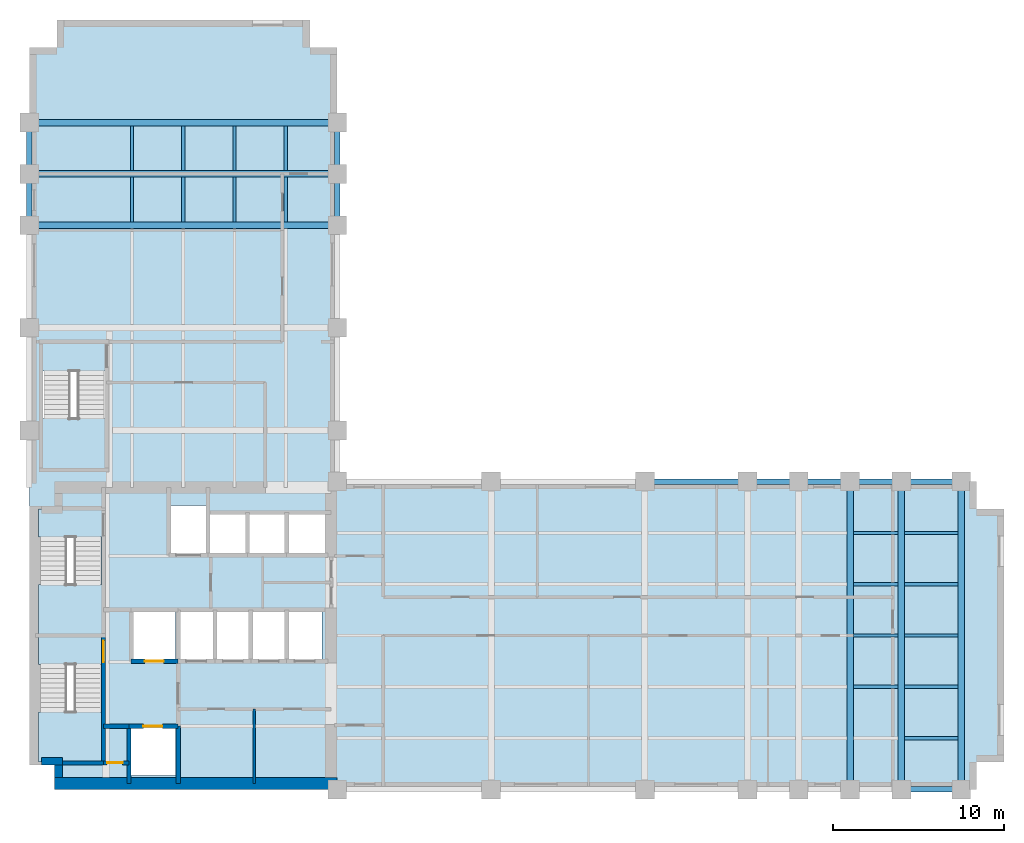
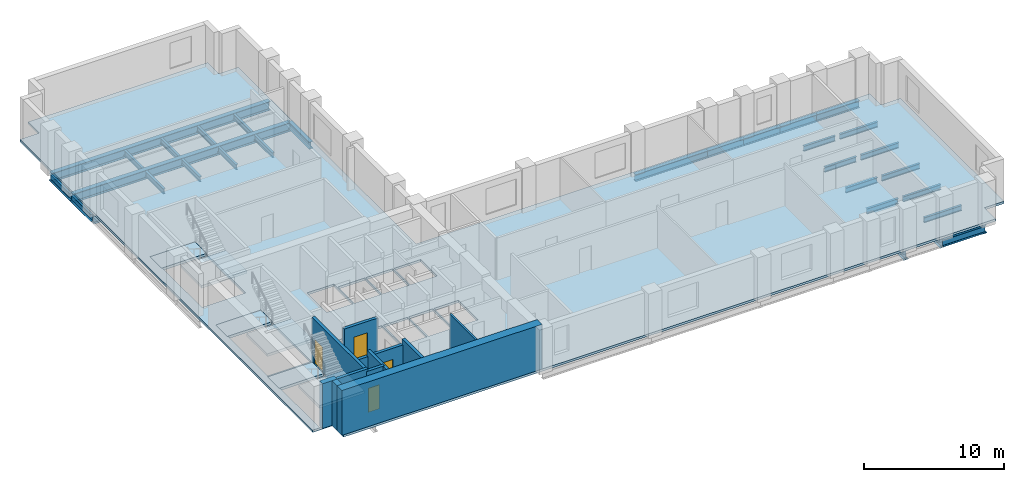
# One storey, part 2 of 7: 33 beams, 12 walls, 7 slabs, 4 doors, 4 openings, 3 elements without a shape of their own.
"""IFC4 building model written with IfcOpenShell, lengths in metres."""

from ifc_helpers import new_model, si_unit, direction, frame, frame_2d, origin, origin_2d, place, context, subcontext, project, spatial, polyline, rectangle, i_section, outline, extrude, material, layer, layer_set, material_profile, profile_set, type_object, element, fill, aggregate, save


model = new_model("IFC4")

# Units and contexts
model_context = context("Model", 3, precision=1e-05, world=origin(), true_north=direction((0.0, 1.0)))
body_context = subcontext(model_context, "Body", "Model", "MODEL_VIEW")
ifc_project = project(units=[si_unit("LENGTHUNIT", "METRE"), si_unit("AREAUNIT", "SQUARE_METRE"), si_unit("VOLUMEUNIT", "CUBIC_METRE"), si_unit("PLANEANGLEUNIT", "RADIAN"), si_unit("MASSUNIT", "GRAM", prefix="KILO")], contexts=[model_context])

# Site, building, storey
site_placement = place(None, origin())
site = spatial("IfcSite", under=ifc_project, at=site_placement, CompositionType="ELEMENT")
building_placement = place(site_placement, origin())
building = spatial("IfcBuilding", under=site, at=building_placement, Name="Mawjdan Bourse Tower", CompositionType="ELEMENT")
storey_placement = place(building_placement, frame((0.0, 0.0, 112.800048828125)))
storey = spatial("IfcBuildingStorey", under=building, at=storey_placement, Name="L26", CompositionType="ELEMENT", Elevation=112.800048828125)

# Beams
ifc_material_1 = material(Name="Structural Steel S355", Category="steel")
ifc_material_profile_1 = material_profile(ifc_material_1, i_section(OverallWidth=0.381103515625, OverallDepth=0.77294921875, WebThickness=0.0166015625, FlangeThickness=0.027099609375, FilletRadius=0.021728515625, at=origin_2d()), Name="W30X173")
ifc_profile_set_1 = profile_set([ifc_material_profile_1], Name="Structural Steel S355")
beam_type_1 = type_object("IfcBeamType", Name="GRD-W30X173", PredefinedType="BEAM", material=ifc_profile_set_1)
for number, where, z_axis, x_axis, name in (
    (1, (54.0, 3.0, -0.586669921875), (0.0, 1.0, 0.0), (-1.0, 0.0, 0.0), "L26 East Wing Clear-Span Girder 006"),
    (2, (57.0, 3.0, -0.586669921875), (0.0, 1.0, 0.0), (-1.0, 0.0, 0.0), "L26 East Wing Clear-Span Girder 007"),
    (3, (60.5, 3.0, -0.586669921875), (0.0, 1.0, 0.0), (-1.0, 0.0, 0.0), "L26 East Wing Clear-Span Girder 008"),
    (4, (6.0, 36.0, -0.586669921875), (1.0, 0.0, 0.0), (0.0, 1.0, 0.0), "L26 North Wing Clear-Span Girder 065"),
    (5, (6.0, 39.0, -0.586669921875), (1.0, 0.0, 0.0), (0.0, 1.0, 0.0), "L26 North Wing Clear-Span Girder 066"),
    (6, (6.0, 42.0, -0.586669921875), (1.0, 0.0, 0.0), (0.0, 1.0, 0.0), "L26 North Wing Clear-Span Girder 067"),
):
    element("IfcBeam", number, at=place(storey_placement, frame(where, z_axis=z_axis, x_axis=x_axis)), inside=storey, type_object=beam_type_1, Name=name, PredefinedType="BEAM", context=body_context, shape_type="SweptSolid", body=[
        extrude(i_section(OverallWidth=0.381103515625, OverallDepth=0.77294921875, WebThickness=0.0166015625, FlangeThickness=0.027099609375, FilletRadius=0.021728515625, at=origin_2d()), origin(), (0.0, 0.0, 1.0), 18.0),
    ])
ifc_material_profile_2 = material_profile(ifc_material_1, i_section(OverallWidth=0.19189453125, OverallDepth=0.462890625, WebThickness=0.010498046875, FlangeThickness=0.017578125, FilletRadius=0.01416015625, at=origin_2d()), Name="W18X60")
ifc_profile_set_2 = profile_set([ifc_material_profile_2], Name="Structural Steel S355")
beam_type_2 = type_object("IfcBeamType", Name="JST-W18X60", PredefinedType="JOIST", material=ifc_profile_set_2)
beam_1_placement = place(storey_placement, frame((57.1884765625, 6.0, -0.431640625), z_axis=(1.0, 0.0, 0.0), x_axis=(0.0, 1.0, 0.0)))
element("IfcBeam", 7, at=beam_1_placement, inside=storey, type_object=beam_type_2, Name="L26 East Wing Composite Joist 029", PredefinedType="JOIST", context=body_context, shape_type="SweptSolid", body=[
    extrude(i_section(OverallWidth=0.19189453125, OverallDepth=0.462890625, WebThickness=0.010498046875, FlangeThickness=0.017578125, FilletRadius=0.01416015625, at=origin_2d()), origin(), (0.0, 0.0, 1.0), 3.123046875),
])
beam_2_placement = place(storey_placement, frame((54.1884765625, 9.0, -0.431640625), z_axis=(1.0, 0.0, 0.0), x_axis=(0.0, 1.0, 0.0)))
element("IfcBeam", 8, at=beam_2_placement, inside=storey, type_object=beam_type_2, Name="L26 East Wing Composite Joist 035", PredefinedType="JOIST", context=body_context, shape_type="SweptSolid", body=[
    extrude(i_section(OverallWidth=0.19189453125, OverallDepth=0.462890625, WebThickness=0.010498046875, FlangeThickness=0.017578125, FilletRadius=0.01416015625, at=origin_2d()), origin(), (0.0, 0.0, 1.0), 2.623046875),
])
beam_3_placement = place(storey_placement, frame((57.1884765625, 9.0, -0.431640625), z_axis=(1.0, 0.0, 0.0), x_axis=(0.0, 1.0, 0.0)))
element("IfcBeam", 9, at=beam_3_placement, inside=storey, type_object=beam_type_2, Name="L26 East Wing Composite Joist 036", PredefinedType="JOIST", context=body_context, shape_type="SweptSolid", body=[
    extrude(i_section(OverallWidth=0.19189453125, OverallDepth=0.462890625, WebThickness=0.010498046875, FlangeThickness=0.017578125, FilletRadius=0.01416015625, at=origin_2d()), origin(), (0.0, 0.0, 1.0), 3.123046875),
])
beam_4_placement = place(storey_placement, frame((54.1884765625, 12.0, -0.431640625), z_axis=(1.0, 0.0, 0.0), x_axis=(0.0, 1.0, 0.0)))
element("IfcBeam", 10, at=beam_4_placement, inside=storey, type_object=beam_type_2, Name="L26 East Wing Composite Joist 042", PredefinedType="JOIST", context=body_context, shape_type="SweptSolid", body=[
    extrude(i_section(OverallWidth=0.19189453125, OverallDepth=0.462890625, WebThickness=0.010498046875, FlangeThickness=0.017578125, FilletRadius=0.01416015625, at=origin_2d()), origin(), (0.0, 0.0, 1.0), 2.623046875),
])
beam_5_placement = place(storey_placement, frame((57.1884765625, 12.0, -0.431640625), z_axis=(1.0, 0.0, 0.0), x_axis=(0.0, 1.0, 0.0)))
element("IfcBeam", 11, at=beam_5_placement, inside=storey, type_object=beam_type_2, Name="L26 East Wing Composite Joist 043", PredefinedType="JOIST", context=body_context, shape_type="SweptSolid", body=[
    extrude(i_section(OverallWidth=0.19189453125, OverallDepth=0.462890625, WebThickness=0.010498046875, FlangeThickness=0.017578125, FilletRadius=0.01416015625, at=origin_2d()), origin(), (0.0, 0.0, 1.0), 3.123046875),
])
beam_6_placement = place(storey_placement, frame((54.1884765625, 15.0, -0.431640625), z_axis=(1.0, 0.0, 0.0), x_axis=(0.0, 1.0, 0.0)))
element("IfcBeam", 12, at=beam_6_placement, inside=storey, type_object=beam_type_2, Name="L26 East Wing Composite Joist 049", PredefinedType="JOIST", context=body_context, shape_type="SweptSolid", body=[
    extrude(i_section(OverallWidth=0.19189453125, OverallDepth=0.462890625, WebThickness=0.010498046875, FlangeThickness=0.017578125, FilletRadius=0.01416015625, at=origin_2d()), origin(), (0.0, 0.0, 1.0), 2.623046875),
])
beam_7_placement = place(storey_placement, frame((57.1884765625, 15.0, -0.431640625), z_axis=(1.0, 0.0, 0.0), x_axis=(0.0, 1.0, 0.0)))
element("IfcBeam", 13, at=beam_7_placement, inside=storey, type_object=beam_type_2, Name="L26 East Wing Composite Joist 050", PredefinedType="JOIST", context=body_context, shape_type="SweptSolid", body=[
    extrude(i_section(OverallWidth=0.19189453125, OverallDepth=0.462890625, WebThickness=0.010498046875, FlangeThickness=0.017578125, FilletRadius=0.01416015625, at=origin_2d()), origin(), (0.0, 0.0, 1.0), 3.123046875),
])
beam_8_placement = place(storey_placement, frame((54.1884765625, 18.0, -0.431640625), z_axis=(1.0, 0.0, 0.0), x_axis=(0.0, 1.0, 0.0)))
element("IfcBeam", 14, at=beam_8_placement, inside=storey, type_object=beam_type_2, Name="L26 East Wing Composite Joist 056", PredefinedType="JOIST", context=body_context, shape_type="SweptSolid", body=[
    extrude(i_section(OverallWidth=0.19189453125, OverallDepth=0.462890625, WebThickness=0.010498046875, FlangeThickness=0.017578125, FilletRadius=0.01416015625, at=origin_2d()), origin(), (0.0, 0.0, 1.0), 2.623046875),
])
beam_9_placement = place(storey_placement, frame((57.1884765625, 18.0, -0.431640625), z_axis=(1.0, 0.0, 0.0), x_axis=(0.0, 1.0, 0.0)))
element("IfcBeam", 15, at=beam_9_placement, inside=storey, type_object=beam_type_2, Name="L26 East Wing Composite Joist 057", PredefinedType="JOIST", context=body_context, shape_type="SweptSolid", body=[
    extrude(i_section(OverallWidth=0.19189453125, OverallDepth=0.462890625, WebThickness=0.010498046875, FlangeThickness=0.017578125, FilletRadius=0.01416015625, at=origin_2d()), origin(), (0.0, 0.0, 1.0), 3.123046875),
])
for number, where, z_axis, x_axis, name in (
    (16, (12.0, 36.1884765625, -0.431640625), (0.0, 1.0, 0.0), (-1.0, 0.0, 0.0), "L26 North Wing Composite Joist 081"),
    (17, (12.0, 39.1884765625, -0.431640625), (0.0, 1.0, 0.0), (-1.0, 0.0, 0.0), "L26 North Wing Composite Joist 082"),
    (18, (15.0, 36.1884765625, -0.431640625), (0.0, 1.0, 0.0), (-1.0, 0.0, 0.0), "L26 North Wing Composite Joist 086"),
    (19, (15.0, 39.1884765625, -0.431640625), (0.0, 1.0, 0.0), (-1.0, 0.0, 0.0), "L26 North Wing Composite Joist 087"),
    (20, (18.0, 36.1884765625, -0.431640625), (0.0, 1.0, 0.0), (-1.0, 0.0, 0.0), "L26 North Wing Composite Joist 091"),
    (21, (18.0, 39.1884765625, -0.431640625), (0.0, 1.0, 0.0), (-1.0, 0.0, 0.0), "L26 North Wing Composite Joist 092"),
    (22, (21.0, 36.1884765625, -0.431640625), (0.0, 1.0, 0.0), (-1.0, 0.0, 0.0), "L26 North Wing Composite Joist 096"),
    (23, (21.0, 39.1884765625, -0.431640625), (0.0, 1.0, 0.0), (-1.0, 0.0, 0.0), "L26 North Wing Composite Joist 097"),
):
    element("IfcBeam", number, at=place(storey_placement, frame(where, z_axis=z_axis, x_axis=x_axis)), inside=storey, type_object=beam_type_2, Name=name, PredefinedType="JOIST", context=body_context, shape_type="SweptSolid", body=[
        extrude(i_section(OverallWidth=0.19189453125, OverallDepth=0.462890625, WebThickness=0.010498046875, FlangeThickness=0.017578125, FilletRadius=0.01416015625, at=origin_2d()), origin(), (0.0, 0.0, 1.0), 2.623046875),
    ])
ifc_material_profile_3 = material_profile(ifc_material_1, i_section(OverallWidth=0.324951171875, OverallDepth=0.616943359375, WebThickness=0.013916015625, FlangeThickness=0.021484375, FilletRadius=0.017333984375, at=origin_2d()), Name="W24X117")
ifc_profile_set_3 = profile_set([ifc_material_profile_3], Name="Structural Steel S355")
beam_type_3 = type_object("IfcBeamType", Name="SPN-W24X117", PredefinedType="SPANDREL", material=ifc_profile_set_3)
beam_10_placement = place(storey_placement, frame((57.0, 3.0, -0.508544921875), z_axis=(1.0, 0.0, 0.0), x_axis=(0.0, 1.0, 0.0)))
element("IfcBeam", 24, at=beam_10_placement, inside=storey, type_object=beam_type_3, Name="L26 Perimeter Masonry-Shelf Spandrel 015", PredefinedType="SPANDREL", context=body_context, shape_type="SweptSolid", body=[
    extrude(i_section(OverallWidth=0.324951171875, OverallDepth=0.616943359375, WebThickness=0.013916015625, FlangeThickness=0.021484375, FilletRadius=0.017333984375, at=origin_2d()), origin(), (0.0, 0.0, 1.0), 3.5),
])
beam_11_placement = place(storey_placement, frame((42.0, 21.0, -0.508544921875), z_axis=(1.0, 0.0, 0.0), x_axis=(0.0, 1.0, 0.0)))
element("IfcBeam", 25, at=beam_11_placement, inside=storey, type_object=beam_type_3, Name="L26 Perimeter Masonry-Shelf Spandrel 018", PredefinedType="SPANDREL", context=body_context, shape_type="SweptSolid", body=[
    extrude(i_section(OverallWidth=0.324951171875, OverallDepth=0.616943359375, WebThickness=0.013916015625, FlangeThickness=0.021484375, FilletRadius=0.017333984375, at=origin_2d()), origin(), (0.0, 0.0, 1.0), 6.0),
])
for number, where, z_axis, x_axis, name in (
    (26, (48.0, 21.0, -0.508544921875), (1.0, 0.0, 0.0), (0.0, 1.0, 0.0), "L26 Perimeter Masonry-Shelf Spandrel 019"),
    (27, (51.0, 21.0, -0.508544921875), (1.0, 0.0, 0.0), (0.0, 1.0, 0.0), "L26 Perimeter Masonry-Shelf Spandrel 020"),
    (28, (54.0, 21.0, -0.508544921875), (1.0, 0.0, 0.0), (0.0, 1.0, 0.0), "L26 Perimeter Masonry-Shelf Spandrel 021"),
):
    element("IfcBeam", number, at=place(storey_placement, frame(where, z_axis=z_axis, x_axis=x_axis)), inside=storey, type_object=beam_type_3, Name=name, PredefinedType="SPANDREL", context=body_context, shape_type="SweptSolid", body=[
        extrude(i_section(OverallWidth=0.324951171875, OverallDepth=0.616943359375, WebThickness=0.013916015625, FlangeThickness=0.021484375, FilletRadius=0.017333984375, at=origin_2d()), origin(), (0.0, 0.0, 1.0), 3.0),
    ])
beam_12_placement = place(storey_placement, frame((57.0, 21.0, -0.508544921875), z_axis=(1.0, 0.0, 0.0), x_axis=(0.0, 1.0, 0.0)))
element("IfcBeam", 29, at=beam_12_placement, inside=storey, type_object=beam_type_3, Name="L26 Perimeter Masonry-Shelf Spandrel 022", PredefinedType="SPANDREL", context=body_context, shape_type="SweptSolid", body=[
    extrude(i_section(OverallWidth=0.324951171875, OverallDepth=0.616943359375, WebThickness=0.013916015625, FlangeThickness=0.021484375, FilletRadius=0.017333984375, at=origin_2d()), origin(), (0.0, 0.0, 1.0), 3.5),
])
for number, where, z_axis, x_axis, name in (
    (30, (6.0, 36.0, -0.508544921875), (0.0, 1.0, 0.0), (-1.0, 0.0, 0.0), "L26 North Wing Spandrel 071"),
    (31, (6.0, 39.0, -0.508544921875), (0.0, 1.0, 0.0), (-1.0, 0.0, 0.0), "L26 North Wing Spandrel 072"),
    (32, (24.0, 36.0, -0.508544921875), (0.0, 1.0, 0.0), (-1.0, 0.0, 0.0), "L26 North Wing Spandrel 076"),
    (33, (24.0, 39.0, -0.508544921875), (0.0, 1.0, 0.0), (-1.0, 0.0, 0.0), "L26 North Wing Spandrel 077"),
):
    element("IfcBeam", number, at=place(storey_placement, frame(where, z_axis=z_axis, x_axis=x_axis)), inside=storey, type_object=beam_type_3, Name=name, PredefinedType="SPANDREL", context=body_context, shape_type="SweptSolid", body=[
        extrude(i_section(OverallWidth=0.324951171875, OverallDepth=0.616943359375, WebThickness=0.013916015625, FlangeThickness=0.021484375, FilletRadius=0.017333984375, at=origin_2d()), origin(), (0.0, 0.0, 1.0), 3.0),
    ])

# Stair, slabs
ifc_material_2 = material(Name="Concrete C50/60", Category="concrete")
stair_type = type_object("IfcStairType", Name="STR-CORE-1500", PredefinedType="HALF_TURN_STAIR", material=ifc_material_2)
stair_1_placement = place(storey_placement, origin())
stair_1 = element("IfcStair", 34, at=stair_1_placement, inside=storey, type_object=stair_type, Name="L26 Exit Stair 1 (Core South-West)", PredefinedType="HALF_TURN_STAIR")
ifc_layer_1 = layer(ifc_material_2, 0.22998046875)
ifc_layer_set_1 = layer_set([ifc_layer_1], Name="Concrete C50/60")
slab_type_1 = type_object("IfcSlabType", Name="SL-LND-230", PredefinedType="LANDING", material=ifc_layer_set_1)
slab_1_placement = place(storey_placement, frame((0.0, 0.0, -0.22998046875)))
slab_1 = element("IfcSlab", 35, at=slab_1_placement, type_object=slab_type_1, Name="ST1-L26 landing 1", PredefinedType="LANDING", context=body_context, shape_type="SweptSolid", body=[
    extrude(outline(polyline([(6.5400390625, 10.31005859375), (10.260009765625, 10.31005859375), (10.260009765625, 11.969970703125), (6.5400390625, 11.969970703125), (6.5400390625, 10.31005859375)])), origin(), (0.0, 0.0, 1.0), 0.22998046875),
])
slab_2_placement = place(storey_placement, frame((0.0, 0.0, 1.719970703125)))
slab_2 = element("IfcSlab", 36, at=slab_2_placement, type_object=slab_type_1, Name="ST1-L26 landing 2", PredefinedType="LANDING", context=body_context, shape_type="SweptSolid", body=[
    extrude(outline(polyline([(6.5400390625, 4.590087890625), (10.260009765625, 4.590087890625), (10.260009765625, 7.5400390625), (6.5400390625, 7.5400390625), (6.5400390625, 4.590087890625)])), origin(), (0.0, 0.0, 1.0), 0.22998046875),
])
aggregate(stair_1, [slab_1, slab_2])

stair_2_placement = place(storey_placement, origin())
stair_2 = element("IfcStair", 37, at=stair_2_placement, inside=storey, type_object=stair_type, Name="L26 Exit Stair 2 (Core North-West)", PredefinedType="HALF_TURN_STAIR")
slab_3_placement = place(storey_placement, frame((0.0, 0.0, -0.22998046875)))
slab_3 = element("IfcSlab", 38, at=slab_3_placement, type_object=slab_type_1, Name="ST2-L26 landing 1", PredefinedType="LANDING", context=body_context, shape_type="SweptSolid", body=[
    extrude(outline(polyline([(6.5400390625, 17.75), (10.260009765625, 17.75), (10.260009765625, 19.409912109375), (6.5400390625, 19.409912109375), (6.5400390625, 17.75)])), origin(), (0.0, 0.0, 1.0), 0.22998046875),
])
slab_4_placement = place(storey_placement, frame((0.0, 0.0, 1.719970703125)))
slab_4 = element("IfcSlab", 39, at=slab_4_placement, type_object=slab_type_1, Name="ST2-L26 landing 2", PredefinedType="LANDING", context=body_context, shape_type="SweptSolid", body=[
    extrude(outline(polyline([(6.5400390625, 12.030029296875), (10.260009765625, 12.030029296875), (10.260009765625, 14.97998046875), (6.5400390625, 14.97998046875), (6.5400390625, 12.030029296875)])), origin(), (0.0, 0.0, 1.0), 0.22998046875),
])
aggregate(stair_2, [slab_3, slab_4])

stair_3_placement = place(storey_placement, origin())
stair_3 = element("IfcStair", 40, at=stair_3_placement, inside=storey, type_object=stair_type, Name="L26 Exit Stair 3 (North Wing)", PredefinedType="HALF_TURN_STAIR")
slab_5_placement = place(storey_placement, frame((0.0, 0.0, -0.22998046875)))
slab_5 = element("IfcSlab", 41, at=slab_5_placement, type_object=slab_type_1, Name="ST3-L26 landing 1", PredefinedType="LANDING", context=body_context, shape_type="SweptSolid", body=[
    extrude(outline(polyline([(6.739990234375, 27.4599609375), (10.4599609375, 27.4599609375), (10.4599609375, 29.1201171875), (6.739990234375, 29.1201171875), (6.739990234375, 27.4599609375)])), origin(), (0.0, 0.0, 1.0), 0.22998046875),
])
slab_6_placement = place(storey_placement, frame((0.0, 0.0, 1.719970703125)))
slab_6 = element("IfcSlab", 42, at=slab_6_placement, type_object=slab_type_1, Name="ST3-L26 landing 2", PredefinedType="LANDING", context=body_context, shape_type="SweptSolid", body=[
    extrude(outline(polyline([(6.739990234375, 21.739990234375), (10.4599609375, 21.739990234375), (10.4599609375, 24.68994140625), (6.739990234375, 24.68994140625), (6.739990234375, 21.739990234375)])), origin(), (0.0, 0.0, 1.0), 0.22998046875),
])
aggregate(stair_3, [slab_5, slab_6])

# Slab
ifc_layer_2 = layer(ifc_material_2, 0.199951171875)
ifc_layer_set_2 = layer_set([ifc_layer_2], Name="Concrete C50/60")
slab_type_2 = type_object("IfcSlabType", Name="SL-OFC-200", PredefinedType="FLOOR", material=ifc_layer_set_2)
slab_7_placement = place(storey_placement, frame((0.0, 0.0, -0.199951171875)))
element("IfcSlab", 43, at=slab_7_placement, inside=storey, type_object=slab_type_2, Name="L26 Structural Floor Slab 1", PredefinedType="FLOOR", context=body_context, shape_type="SweptSolid", body=[
    extrude(outline(polyline([(7.60009765625, 3.0), (61.39990234375, 3.0), (61.39990234375, 4.60009765625), (63.0, 4.60009765625), (63.0, 19.39990234375), (61.39990234375, 19.39990234375), (61.39990234375, 21.0), (24.0, 21.0), (24.0, 46.39990234375), (22.39990234375, 46.39990234375), (22.39990234375, 48.0), (7.60009765625, 48.0), (7.60009765625, 46.39990234375), (6.0, 46.39990234375), (6.0, 4.60009765625), (7.60009765625, 4.60009765625), (7.60009765625, 3.0)]), holes=[polyline([(11.949951171875, 3.800048828125), (11.949951171875, 6.60009765625), (14.550048828125, 6.60009765625), (14.550048828125, 3.800048828125), (11.949951171875, 3.800048828125)]), polyline([(6.60009765625, 10.31005859375), (6.5400390625, 10.31005859375), (6.5400390625, 11.969970703125), (10.260009765625, 11.969970703125), (10.260009765625, 10.31005859375), (10.199951171875, 10.31005859375), (10.199951171875, 4.64990234375), (6.60009765625, 4.64990234375), (6.60009765625, 10.31005859375)]), polyline([(12.050048828125, 10.60009765625), (12.050048828125, 13.39990234375), (14.550048828125, 13.39990234375), (14.550048828125, 10.60009765625), (12.050048828125, 10.60009765625)]), polyline([(10.260009765625, 19.409912109375), (10.260009765625, 17.75), (10.199951171875, 17.75), (10.199951171875, 12.090087890625), (6.60009765625, 12.090087890625), (6.60009765625, 17.75), (6.5400390625, 17.75), (6.5400390625, 19.409912109375), (10.260009765625, 19.409912109375)]), polyline([(10.4599609375, 29.1201171875), (10.4599609375, 27.4599609375), (10.39990234375, 27.4599609375), (10.39990234375, 21.800048828125), (6.800048828125, 21.800048828125), (6.800048828125, 27.4599609375), (6.739990234375, 27.4599609375), (6.739990234375, 29.1201171875), (10.4599609375, 29.1201171875)]), polyline([(14.800048828125, 10.60009765625), (14.800048828125, 13.39990234375), (16.800048828125, 13.39990234375), (16.800048828125, 10.60009765625), (14.800048828125, 10.60009765625)]), polyline([(16.89990234375, 10.60009765625), (16.89990234375, 13.39990234375), (18.89990234375, 13.39990234375), (18.89990234375, 10.60009765625), (16.89990234375, 10.60009765625)]), polyline([(19.0, 10.60009765625), (19.0, 13.39990234375), (21.0, 13.39990234375), (21.0, 10.60009765625), (19.0, 10.60009765625)]), polyline([(21.10009765625, 10.60009765625), (21.10009765625, 13.39990234375), (23.10009765625, 13.39990234375), (23.10009765625, 10.60009765625), (21.10009765625, 10.60009765625)]), polyline([(16.5, 16.800048828125), (16.5, 19.14990234375), (18.699951171875, 19.14990234375), (18.699951171875, 16.800048828125), (16.5, 16.800048828125)]), polyline([(18.800048828125, 16.800048828125), (18.800048828125, 19.14990234375), (21.0, 19.14990234375), (21.0, 16.800048828125), (18.800048828125, 16.800048828125)]), polyline([(21.10009765625, 16.800048828125), (21.10009765625, 19.14990234375), (23.300048828125, 19.14990234375), (23.300048828125, 16.800048828125), (21.10009765625, 16.800048828125)]), polyline([(14.199951171875, 16.800048828125), (14.199951171875, 19.60009765625), (16.39990234375, 19.60009765625), (16.39990234375, 16.800048828125), (14.199951171875, 16.800048828125)])]), origin(), (0.0, 0.0, 1.0), 0.199951171875),
])

# Walls
ifc_material_3 = material(Name="Concrete C60/75", Category="concrete")
ifc_layer_3 = layer(ifc_material_3, 0.449951171875)
ifc_layer_set_3 = layer_set([ifc_layer_3], Name="Concrete C60/75")
wall_type_1 = type_object("IfcWallType", Name="WL-CORE-450", PredefinedType="SHEAR", material=ifc_layer_set_3)
wall_1_placement = place(storey_placement, frame((6.699951171875, 4.64990234375, 0.0), z_axis=(0.0, 0.0, 1.0), x_axis=(1.0, 0.0, 0.0)))
element("IfcWall", 44, at=wall_1_placement, inside=storey, type_object=wall_type_1, Name="L26 Rear Core Shear Wall SW-X", PredefinedType="SHEAR", context=body_context, shape_type="SweptSolid", body=[
    extrude(rectangle(XDim=1.22509765625, YDim=0.449951171875, at=frame_2d((0.612548828125, 0.0))), origin(), (0.0, 0.0, 1.0), 3.89990234375),
])
wall_2_placement = place(storey_placement, frame((7.699951171875, 3.699951171875, 0.0), z_axis=(0.0, 0.0, 1.0), x_axis=(0.0, 1.0, 0.0)))
element("IfcWall", 45, at=wall_2_placement, inside=storey, type_object=wall_type_1, Name="L26 Rear Core Shear Wall SW-Y", PredefinedType="SHEAR", context=body_context, shape_type="SweptSolid", body=[
    extrude(rectangle(XDim=0.72509765625, YDim=0.449951171875, at=frame_2d((0.362548828125, 0.0))), origin(), (0.0, 0.0, 1.0), 3.89990234375),
])
ifc_material_4 = material(Name="Concrete C70/85", Category="concrete")
ifc_layer_4 = layer(ifc_material_4, 0.699951171875)
ifc_layer_set_4 = layer_set([ifc_layer_4], Name="Concrete C70/85")
wall_type_2 = type_object("IfcWallType", Name="WL-CORE-700", PredefinedType="SHEAR", material=ifc_layer_set_4)
wall_3_placement = place(storey_placement, frame((7.47509765625, 3.35009765625, 0.0), z_axis=(0.0, 0.0, 1.0), x_axis=(1.0, 0.0, 0.0)))
element("IfcWall", 46, at=wall_3_placement, inside=storey, type_object=wall_type_2, Name="L26 Rear Core Shear Wall S", PredefinedType="SHEAR", context=body_context, shape_type="SweptSolid", body=[
    extrude(rectangle(XDim=16.52490234375, YDim=0.699951171875, at=frame_2d((8.262451171875, 0.0))), origin(), (0.0, 0.0, 1.0), 3.89990234375),
])
ifc_material_5 = material(Name="Gypsum Acoustic Partition")
ifc_layer_5 = layer(ifc_material_5, 0.14990234375)
ifc_layer_set_5 = layer_set([ifc_layer_5], Name="Gypsum Acoustic Partition")
wall_type_3 = type_object("IfcWallType", Name="WL-PRT-150", PredefinedType="PARTITIONING", material=ifc_layer_set_5)
wall_4_placement = place(storey_placement, frame((19.14990234375, 3.35009765625, 0.0), z_axis=(0.0, 0.0, 1.0), x_axis=(0.0, 1.0, 0.0)))
element("IfcWall", 47, at=wall_4_placement, inside=storey, type_object=wall_type_3, Name="L26 Document Custody Office Core Split Wall", PredefinedType="PARTITIONING", context=body_context, shape_type="SweptSolid", body=[
    extrude(rectangle(XDim=4.349853515625, YDim=0.14990234375, at=frame_2d((2.1748046875, 0.0))), origin(), (0.0, 0.0, 1.0), 3.68994140625),
])

# Wall, opening, door
ifc_layer_6 = layer(ifc_material_2, 0.25)
ifc_layer_set_6 = layer_set([ifc_layer_6], Name="Concrete C50/60")
wall_type_4 = type_object("IfcWallType", Name="WL-SHFT-250", PredefinedType="PARTITIONING", material=ifc_layer_set_6)
wall_5_placement = place(storey_placement, frame((10.330078125, 4.550048828125, 0.0), z_axis=(0.0, 0.0, 1.0), x_axis=(1.0, 0.0, 0.0)))
wall_5 = element("IfcWall", 48, at=wall_5_placement, inside=storey, type_object=wall_type_4, Name="L26 SW Riser North Wall", PredefinedType="PARTITIONING", context=body_context, shape_type="SweptSolid", body=[
    extrude(rectangle(XDim=1.489990234375, YDim=0.25, at=frame_2d((0.7451171875, 0.0))), origin(), (0.0, 0.0, 1.0), 3.68994140625),
])
opening_1_placement = place(wall_5_placement, frame((0.219970703125, 0.0, 0.0)))
opening_1 = element("IfcOpeningElement", 49, at=opening_1_placement, cuts=wall_5, Name="Opening RD-L26-03", PredefinedType="OPENING", context=body_context, shape_type="SweptSolid", body=[
    extrude(rectangle(XDim=0.89990234375, YDim=2.10009765625, at=frame_2d((0.449951171875, 1.050048828125))), frame((0.0, 0.135009765625, 0.0), z_axis=(0.0, -1.0, 0.0), x_axis=(1.0, 0.0, 0.0)), (0.0, 0.0, 1.0), 0.27001953125),
])
ifc_material_6 = material(Name="Fire-Rated Steel Access Leaf", Category="steel")
door_type_1 = type_object("IfcDoorType", Name="FD-RSR-0900", OperationType="NOTDEFINED", PredefinedType="TRAPDOOR", material=ifc_material_6)
door_1_placement = place(opening_1_placement, origin())
door_1 = element("IfcDoor", 50, at=door_1_placement, inside=storey, type_object=door_type_1, Name="L26 Electrical Riser Access Door RD-L26-03", OperationType="SINGLE_SWING_LEFT", OverallHeight=2.10009765625, OverallWidth=0.89990234375, PredefinedType="TRAPDOOR", context=body_context, shape_type="SweptSolid", body=[
    extrude(rectangle(XDim=0.89990234375, YDim=2.10009765625, at=frame_2d((0.449951171875, 1.050048828125))), frame((0.0, 0.02490234375, 0.0), z_axis=(0.0, -1.0, 0.0), x_axis=(1.0, 0.0, 0.0)), (0.0, 0.0, 1.0), 0.050048828125),
])
fill(opening_1, door_1)

# Wall
wall_6_placement = place(storey_placement, frame((11.820068359375, 3.35009765625, 0.0), z_axis=(0.0, 0.0, 1.0), x_axis=(0.0, 1.0, 0.0)))
element("IfcWall", 51, at=wall_6_placement, inside=storey, type_object=wall_type_4, Name="L26 SW Riser & FFL01 West Wall", PredefinedType="PARTITIONING", context=body_context, shape_type="SweptSolid", body=[
    extrude(rectangle(XDim=3.349853515625, YDim=0.25, at=frame_2d((1.6748046875, 0.0))), origin(), (0.0, 0.0, 1.0), 3.68994140625),
])

# Wall, opening, door
wall_7_placement = place(storey_placement, frame((11.820068359375, 6.699951171875, 0.0), z_axis=(0.0, 0.0, 1.0), x_axis=(1.0, 0.0, 0.0)))
wall_7 = element("IfcWall", 52, at=wall_7_placement, inside=storey, type_object=wall_type_4, Name="L26 FFL-01 Front Shaft Wall", PredefinedType="PARTITIONING", context=body_context, shape_type="SweptSolid", body=[
    extrude(rectangle(XDim=2.8798828125, YDim=0.25, at=frame_2d((1.43994140625, 0.0))), origin(), (0.0, 0.0, 1.0), 3.22705078125),
])
opening_2_placement = place(wall_7_placement, frame((0.85009765625, 0.0, 0.0)))
opening_2 = element("IfcOpeningElement", 53, at=opening_2_placement, cuts=wall_7, Name="Opening LD-L26-05", PredefinedType="OPENING", context=body_context, shape_type="SweptSolid", body=[
    extrude(rectangle(XDim=1.10009765625, YDim=2.25, at=frame_2d((0.550048828125, 1.125))), frame((0.0, 0.135009765625, 0.0), z_axis=(0.0, -1.0, 0.0), x_axis=(1.0, 0.0, 0.0)), (0.0, 0.0, 1.0), 0.27001953125),
])
ifc_material_7 = material(Name="Brushed Stainless Steel", Category="steel")
door_type_2 = type_object("IfcDoorType", Name="LD-FFL-1100", OperationType="DOUBLE_DOOR_SLIDING", PredefinedType="DOOR", material=ifc_material_7)
door_2_placement = place(opening_2_placement, origin())
door_2 = element("IfcDoor", 54, at=door_2_placement, inside=storey, type_object=door_type_2, Name="L26 Firefighting Lift FFL-01 Landing Door LD-L26-05", OperationType="DOUBLE_DOOR_SLIDING", OverallHeight=2.25, OverallWidth=1.10009765625, PredefinedType="DOOR", context=body_context, shape_type="SweptSolid", body=[
    extrude(rectangle(XDim=1.10009765625, YDim=2.25, at=frame_2d((0.550048828125, 1.125))), frame((0.0, 0.02490234375, 0.0), z_axis=(0.0, -1.0, 0.0), x_axis=(1.0, 0.0, 0.0)), (0.0, 0.0, 1.0), 0.050048828125),
])
fill(opening_2, door_2)

# Wall
wall_8_placement = place(storey_placement, frame((14.699951171875, 3.35009765625, 0.0), z_axis=(0.0, 0.0, 1.0), x_axis=(0.0, 1.0, 0.0)))
element("IfcWall", 55, at=wall_8_placement, inside=storey, type_object=wall_type_4, Name="L26 FFL-01 East Shaft Wall", PredefinedType="PARTITIONING", context=body_context, shape_type="SweptSolid", body=[
    extrude(rectangle(XDim=3.349853515625, YDim=0.25, at=frame_2d((1.6748046875, 0.0))), origin(), (0.0, 0.0, 1.0), 3.68994140625),
])

# Wall, opening, door
wall_9_placement = place(storey_placement, frame((11.949951171875, 10.5, 0.0), z_axis=(0.0, 0.0, 1.0), x_axis=(1.0, 0.0, 0.0)))
wall_9 = element("IfcWall", 56, at=wall_9_placement, inside=storey, type_object=wall_type_4, Name="L26 FFL-02 Front Shaft Wall", PredefinedType="PARTITIONING", context=body_context, shape_type="SweptSolid", body=[
    extrude(rectangle(XDim=2.75, YDim=0.25, at=frame_2d((1.375, 0.0))), origin(), (0.0, 0.0, 1.0), 3.22705078125),
])
opening_3_placement = place(wall_9_placement, frame((0.800048828125, 0.0, 0.0)))
opening_3 = element("IfcOpeningElement", 57, at=opening_3_placement, cuts=wall_9, Name="Opening LD-L26-06", PredefinedType="OPENING", context=body_context, shape_type="SweptSolid", body=[
    extrude(rectangle(XDim=1.10009765625, YDim=2.25, at=frame_2d((0.550048828125, 1.125))), frame((0.0, 0.135009765625, 0.0), z_axis=(0.0, -1.0, 0.0), x_axis=(1.0, 0.0, 0.0)), (0.0, 0.0, 1.0), 0.27001953125),
])
door_3_placement = place(opening_3_placement, origin())
door_3 = element("IfcDoor", 58, at=door_3_placement, inside=storey, type_object=door_type_2, Name="L26 Firefighting Lift FFL-02 Landing Door LD-L26-06", OperationType="DOUBLE_DOOR_SLIDING", OverallHeight=2.25, OverallWidth=1.10009765625, PredefinedType="DOOR", context=body_context, shape_type="SweptSolid", body=[
    extrude(rectangle(XDim=1.10009765625, YDim=2.25, at=frame_2d((0.550048828125, 1.125))), frame((0.0, 0.02490234375, 0.0), z_axis=(0.0, -1.0, 0.0), x_axis=(1.0, 0.0, 0.0)), (0.0, 0.0, 1.0), 0.050048828125),
])
fill(opening_3, door_3)

# Walls
wall_10_placement = place(storey_placement, frame((10.330078125, 6.699951171875, 0.0), z_axis=(0.0, 0.0, 1.0), x_axis=(1.0, 0.0, 0.0)))
element("IfcWall", 59, at=wall_10_placement, inside=storey, type_object=wall_type_4, Name="L26 Firefighting Lobby South Closure Wall", PredefinedType="PARTITIONING", context=body_context, shape_type="SweptSolid", body=[
    extrude(rectangle(XDim=1.489990234375, YDim=0.25, at=frame_2d((0.7451171875, 0.0))), origin(), (0.0, 0.0, 1.0), 3.22705078125),
])
ifc_layer_7 = layer(ifc_material_2, 0.25)
ifc_layer_set_7 = layer_set([ifc_layer_7], Name="Concrete C50/60")
wall_type_5 = type_object("IfcWallType", Name="WL-STRW-250", PredefinedType="SHEAR", material=ifc_layer_set_7)
wall_11_placement = place(storey_placement, frame((7.699951171875, 4.550048828125, 0.0), z_axis=(0.0, 0.0, 1.0), x_axis=(1.0, 0.0, 0.0)))
element("IfcWall", 60, at=wall_11_placement, inside=storey, type_object=wall_type_5, Name="L26 Stairwell ST1 South Shaft Wall", PredefinedType="SHEAR", context=body_context, shape_type="SweptSolid", body=[
    extrude(rectangle(XDim=2.755126953125, YDim=0.25, at=frame_2d((1.37744140625, 0.0))), origin(), (0.0, 0.0, 1.0), 3.89990234375),
])

# Wall, opening, door
wall_12_placement = place(storey_placement, frame((10.330078125, 4.550048828125, 0.0), z_axis=(0.0, 0.0, 1.0), x_axis=(0.0, 1.0, 0.0)))
wall_12 = element("IfcWall", 61, at=wall_12_placement, inside=storey, type_object=wall_type_5, Name="L26 Stairwell ST1 East Enclosure Wall", PredefinedType="SHEAR", context=body_context, shape_type="SweptSolid", body=[
    extrude(rectangle(XDim=7.449951171875, YDim=0.25, at=frame_2d((3.72509765625, 0.0))), origin(), (0.0, 0.0, 1.0), 3.89990234375),
])
opening_4_placement = place(wall_12_placement, frame((5.89990234375, 0.0, 0.0)))
opening_4 = element("IfcOpeningElement", 62, at=opening_4_placement, cuts=wall_12, Name="Opening SD-L26-01", PredefinedType="OPENING", context=body_context, shape_type="SweptSolid", body=[
    extrude(rectangle(XDim=1.25, YDim=2.199951171875, at=frame_2d((0.625, 1.10009765625))), frame((0.0, 0.135009765625, 0.0), z_axis=(0.0, -1.0, 0.0), x_axis=(1.0, 0.0, 0.0)), (0.0, 0.0, 1.0), 0.27001953125),
])
ifc_material_8 = material(Name="Fire-Rated Steel Leaf", Category="steel")
door_type_3 = type_object("IfcDoorType", Name="FD-ST-1250", OperationType="NOTDEFINED", PredefinedType="DOOR", material=ifc_material_8)
door_4_placement = place(opening_4_placement, origin())
door_4 = element("IfcDoor", 63, at=door_4_placement, inside=storey, type_object=door_type_3, Name="L26 Exit Stair ST1 Fire Door SD-L26-01", OperationType="SINGLE_SWING_LEFT", OverallHeight=2.199951171875, OverallWidth=1.25, PredefinedType="DOOR", context=body_context, shape_type="SweptSolid", body=[
    extrude(rectangle(XDim=1.25, YDim=2.199951171875, at=frame_2d((0.625, 1.10009765625))), frame((0.0, 0.02490234375, 0.0), z_axis=(0.0, -1.0, 0.0), x_axis=(1.0, 0.0, 0.0)), (0.0, 0.0, 1.0), 0.050048828125),
])
fill(opening_4, door_4)

save(model, "model.ifc")
